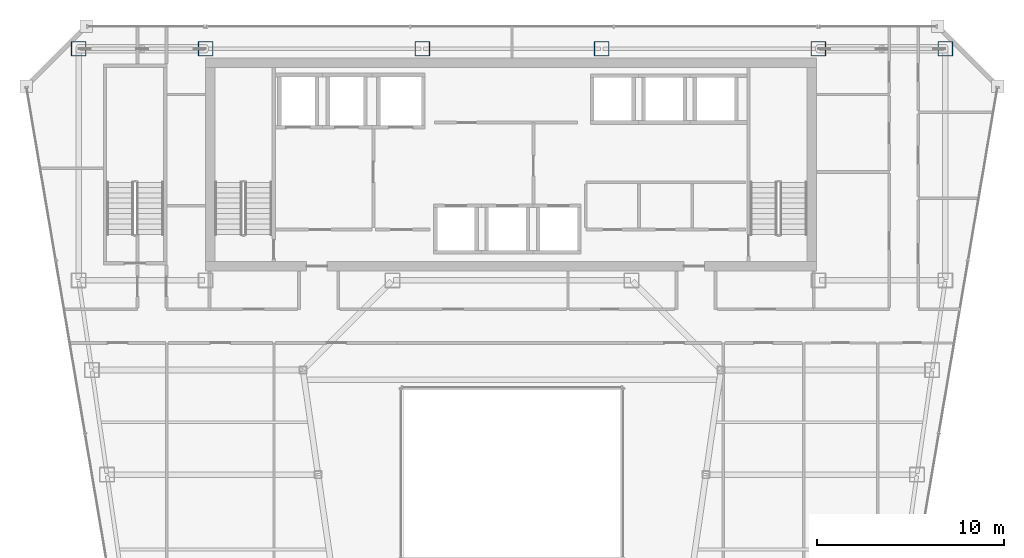
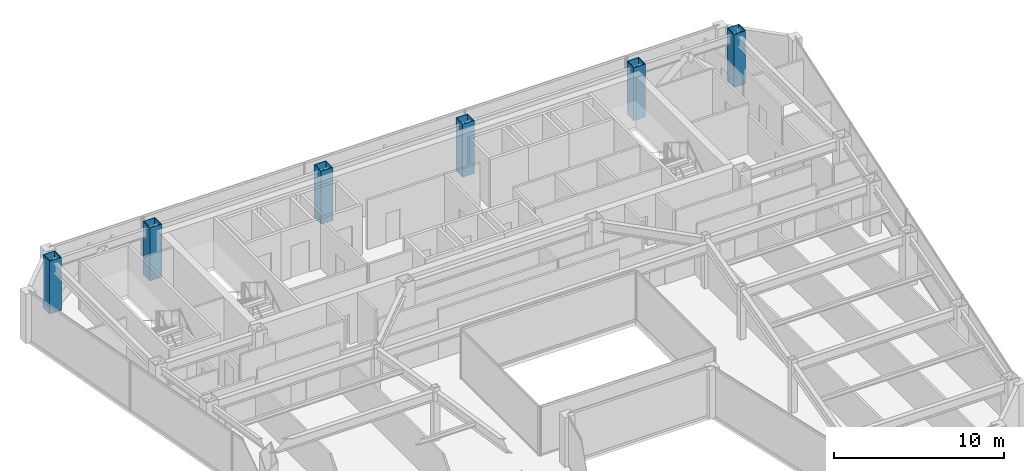
# One storey, part 2 of 36: 6 columns.
"""IFC4 building model written with IfcOpenShell, lengths in metres."""

from ifc_helpers import new_model, si_unit, direction, frame, origin, origin_2d, place, context, subcontext, project, spatial, hollow_rectangle, extrude, material, material_profile, profile_set, type_object, element, save


model = new_model("IFC4")

# Units and contexts
model_context = context("Model", 3, precision=1e-05, world=origin(), true_north=direction((0.0, 1.0)))
body_context = subcontext(model_context, "Body", "Model", "MODEL_VIEW")
ifc_project = project(units=[si_unit("LENGTHUNIT", "METRE"), si_unit("AREAUNIT", "SQUARE_METRE"), si_unit("VOLUMEUNIT", "CUBIC_METRE"), si_unit("PLANEANGLEUNIT", "RADIAN"), si_unit("MASSUNIT", "GRAM", prefix="KILO")], contexts=[model_context])

# Site, building, storey
site_placement = place(None, origin())
site = spatial("IfcSite", under=ifc_project, at=site_placement, CompositionType="ELEMENT")
building_placement = place(site_placement, origin())
building = spatial("IfcBuilding", under=site, at=building_placement, Name="Saevonmaru Cultural Tower", CompositionType="ELEMENT")
storey_placement = place(building_placement, frame((0.0, 0.0, 205.60009765625)))
storey = spatial("IfcBuildingStorey", under=building, at=storey_placement, Name="L47", CompositionType="ELEMENT", Elevation=205.60009765625)

# Columns
ifc_material = material(Name="Steel SM420", Category="steel")
ifc_material_profile = material_profile(ifc_material, hollow_rectangle(XDim=0.800048828125, YDim=0.800048828125, WallThickness=0.035888671875, at=origin_2d()), Name="BOX-800x800x36")
ifc_profile_set = profile_set([ifc_material_profile], Name="Steel SM420")
column_type = type_object("IfcColumnType", Name="COL-BOX-800", PredefinedType="COLUMN", material=ifc_profile_set)
for number, where, z_axis, x_axis, name in (
    (1, (6.800048828125, 54.800048828125, 0.0), (0.0, 0.0, 1.0), (1.0, 0.0, 0.0), "L47 Column TC-N1N"),
    (2, (13.60009765625, 54.800048828125, 0.0), (0.0, 0.0, 1.0), (1.0, 0.0, 0.0), "L47 Column TC-N2N"),
    (3, (25.199951171875, 54.800048828125, 0.0), (0.0, 0.0, 1.0), (1.0, 0.0, 0.0), "L47 Column TC-N3N"),
    (4, (34.800048828125, 54.800048828125, 0.0), (0.0, 0.0, 1.0), (1.0, 0.0, 0.0), "L47 Column TC-N4N"),
    (5, (46.39990234375, 54.800048828125, 0.0), (0.0, 0.0, 1.0), (1.0, 0.0, 0.0), "L47 Column TC-N5N"),
    (6, (53.199951171875, 54.800048828125, 0.0), (0.0, 0.0, 1.0), (1.0, 0.0, 0.0), "L47 Column TC-N6N"),
):
    element("IfcColumn", number, at=place(storey_placement, frame(where, z_axis=z_axis, x_axis=x_axis)), inside=storey, type_object=column_type, Name=name, PredefinedType="COLUMN", context=body_context, shape_type="SweptSolid", body=[
        extrude(hollow_rectangle(XDim=0.800048828125, YDim=0.800048828125, WallThickness=0.035888671875, at=origin_2d()), origin(), (0.0, 0.0, 1.0), 3.7998046875),
    ])

save(model, "model.ifc")
